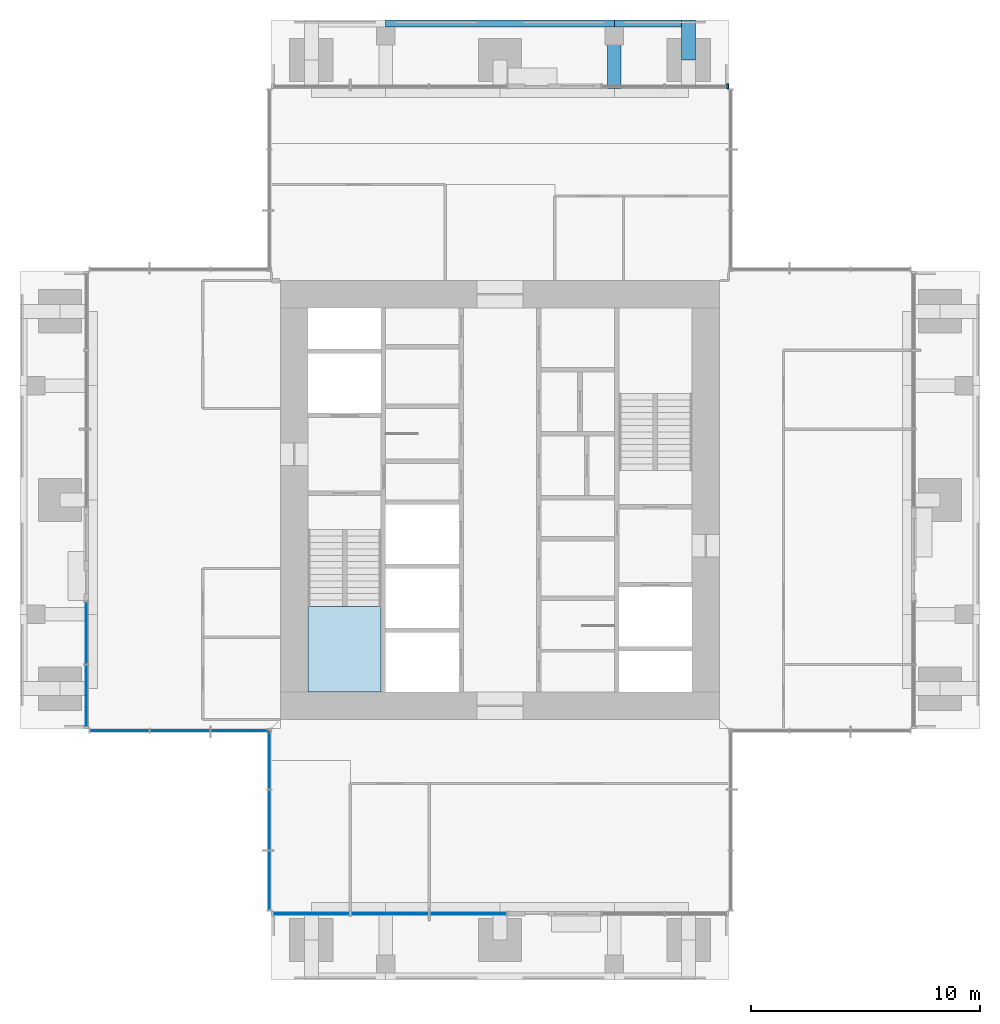
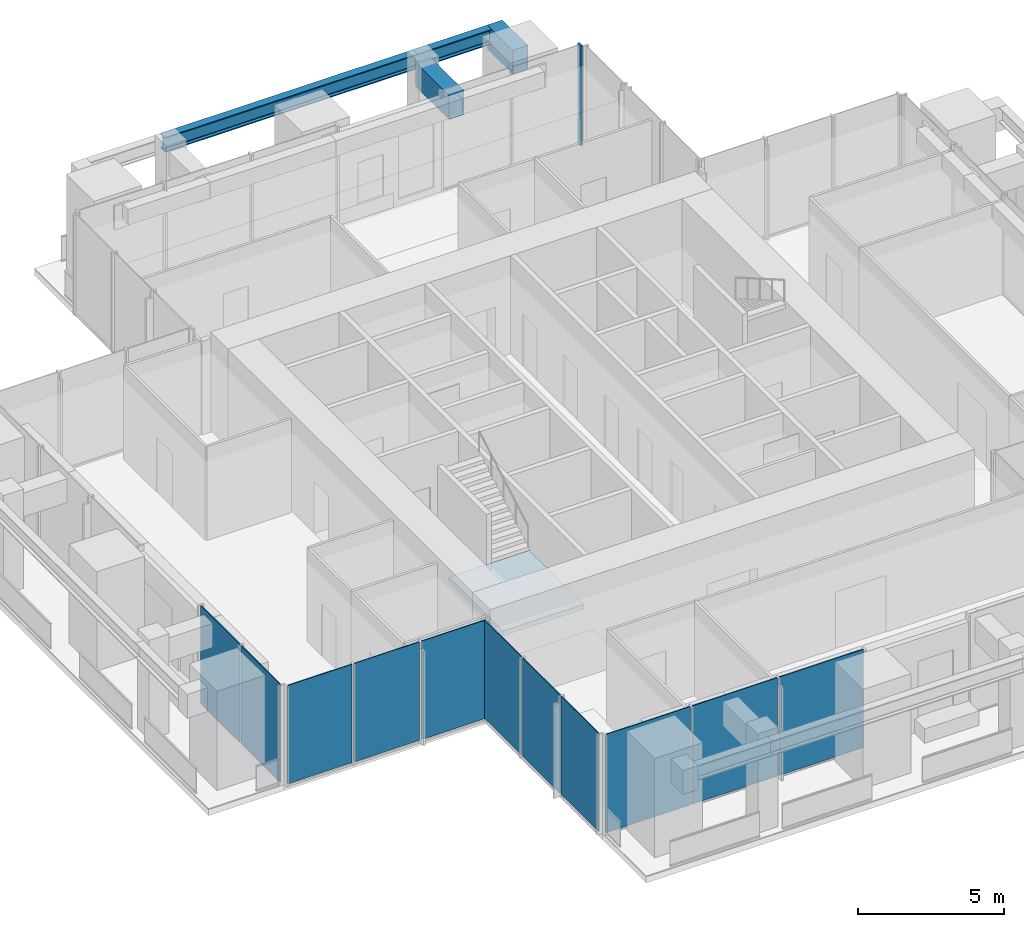
# One storey, part 5 of 12: 11 plates, 4 beams, 1 member, 1 slab, 6 elements without a shape of their own.
"""IFC4 building model written with IfcOpenShell, lengths in metres."""

from ifc_helpers import new_model, si_unit, direction, frame, origin, origin_2d, place, context, subcontext, project, spatial, polyline, rectangle, i_section, outline, extrude, material, layer, layer_set, material_profile, profile_set, type_object, element, aggregate, save


model = new_model("IFC4")

# Units and contexts
model_context = context("Model", 3, precision=1e-05, world=origin(), true_north=direction((0.0, 1.0)))
body_context = subcontext(model_context, "Body", "Model", "MODEL_VIEW")
ifc_project = project(units=[si_unit("LENGTHUNIT", "METRE"), si_unit("AREAUNIT", "SQUARE_METRE"), si_unit("VOLUMEUNIT", "CUBIC_METRE"), si_unit("PLANEANGLEUNIT", "RADIAN"), si_unit("MASSUNIT", "GRAM", prefix="KILO")], contexts=[model_context])

# Site, building, storey
site_placement = place(None, origin())
site = spatial("IfcSite", under=ifc_project, at=site_placement, CompositionType="ELEMENT")
building_placement = place(site_placement, origin())
building = spatial("IfcBuilding", under=site, at=building_placement, Name="Svetlomir Tower", CompositionType="ELEMENT")
storey_placement = place(building_placement, frame((0.0, 0.0, 260.800048828125)))
storey = spatial("IfcBuildingStorey", under=building, at=storey_placement, Name="L62", CompositionType="ELEMENT", Elevation=260.800048828125)

# Curtain wall, member
ifc_material_1 = material(Name="Bronze anodised aluminium curtain wall", Category="aluminium")
curtain_wall_type = type_object("IfcCurtainWallType", Name="CURTAIN WALL CW4 EXECUTIVE", PredefinedType="NOTDEFINED", material=ifc_material_1)
curtain_wall_1_placement = place(storey_placement, origin())
curtain_wall_1 = element("IfcCurtainWall", 1, at=curtain_wall_1_placement, inside=storey, type_object=curtain_wall_type, Name="Curtain wall CW4 L62", PredefinedType="NOTDEFINED")
ifc_material_2 = material(Name="Bronze anodised aluminium", Category="aluminium")
ifc_material_profile_1 = material_profile(ifc_material_2, rectangle(XDim=0.074951171875, YDim=0.219970703125, at=origin_2d()), Name="AL 75x220")
ifc_profile_set_1 = profile_set([ifc_material_profile_1], Name="Bronze anodised aluminium 6063-T6")
member_type = type_object("IfcMemberType", Name="CW4 MULLION 75x220", PredefinedType="MULLION", material=ifc_profile_set_1)
member_placement = place(storey_placement, frame((30.96240234375, 39.10009765625, 0.0), z_axis=(0.0, 0.0, 1.0), x_axis=(-1.0, 0.0, 0.0)))
member = element("IfcMember", 2, at=member_placement, type_object=member_type, Name="CW4 mullion 1", PredefinedType="MULLION", context=body_context, shape_type="SweptSolid", body=[
    extrude(rectangle(XDim=0.074951171875, YDim=0.219970703125, at=origin_2d()), origin(), (0.0, 0.0, 1.0), 4.199951171875),
])
aggregate(curtain_wall_1, [member])

# Beams
ifc_material_3 = material(Name="Steel S355", Category="steel")
ifc_material_profile_2 = material_profile(ifc_material_3, i_section(OverallWidth=0.304931640625, OverallDepth=0.6201171875, WebThickness=0.02099609375, FlangeThickness=0.0400390625, FilletRadius=0.027099609375, at=origin_2d()), Name="HEM 600")
ifc_profile_set_2 = profile_set([ifc_material_profile_2], Name="Steel S355")
beam_type_1 = type_object("IfcBeamType", Name="EDGE BEAM HEM 600", PredefinedType="SPANDREL", material=ifc_profile_set_2)
beam_1_placement = place(storey_placement, frame((16.0, 41.847412109375, 3.639892578125), z_axis=(1.0, 0.0, 0.0), x_axis=(0.0, 1.0, 0.0)))
element("IfcBeam", 3, at=beam_1_placement, inside=storey, type_object=beam_type_1, Name="Edge beam 16/42 to 26/42 under L63", PredefinedType="SPANDREL", context=body_context, shape_type="SweptSolid", body=[
    extrude(i_section(OverallWidth=0.304931640625, OverallDepth=0.6201171875, WebThickness=0.02099609375, FlangeThickness=0.0400390625, FilletRadius=0.027099609375, at=origin_2d()), origin(), (0.0, 0.0, 1.0), 10.0),
])
beam_2_placement = place(storey_placement, frame((26.0, 41.847412109375, 3.639892578125), z_axis=(1.0, 0.0, 0.0), x_axis=(0.0, 1.0, 0.0)))
element("IfcBeam", 4, at=beam_2_placement, inside=storey, type_object=beam_type_1, Name="Edge beam 26/42 to 31/42 under L63", PredefinedType="SPANDREL", context=body_context, shape_type="SweptSolid", body=[
    extrude(i_section(OverallWidth=0.304931640625, OverallDepth=0.6201171875, WebThickness=0.02099609375, FlangeThickness=0.0400390625, FilletRadius=0.027099609375, at=origin_2d()), origin(), (0.0, 0.0, 1.0), 2.949951171875),
])
ifc_material_4 = material(Name="Concrete C60/75", Category="concrete")
ifc_material_profile_3 = material_profile(ifc_material_4, rectangle(XDim=0.60009765625, YDim=1.0, at=origin_2d()), Name="RC 600x1000")
ifc_profile_set_3 = profile_set([ifc_material_profile_3], Name="Concrete C60/75")
beam_type_2 = type_object("IfcBeamType", Name="EDGE LINK BEAM RC 600x1000", PredefinedType="BEAM", material=ifc_profile_set_3)
beam_3_placement = place(storey_placement, frame((29.25, 40.25, 3.449951171875), z_axis=(0.0, 1.0, 0.0), x_axis=(-1.0, 0.0, 0.0)))
element("IfcBeam", 5, at=beam_3_placement, inside=storey, type_object=beam_type_2, Name="Edge link beam N 31/42 under L63", PredefinedType="BEAM", context=body_context, shape_type="SweptSolid", body=[
    extrude(rectangle(XDim=0.60009765625, YDim=1.0, at=origin_2d()), origin(), (0.0, 0.0, 1.0), 1.75),
])
ifc_material_5 = material(Name="Concrete C60/75", Category="concrete")
ifc_material_profile_4 = material_profile(ifc_material_5, rectangle(XDim=0.60009765625, YDim=1.0, at=origin_2d()), Name="RC 600x1000")
ifc_profile_set_4 = profile_set([ifc_material_profile_4], Name="Concrete C60/75")
beam_type_3 = type_object("IfcBeamType", Name="LOGGIA LINK BEAM RC 600x1000", PredefinedType="BEAM", material=ifc_profile_set_4)
beam_4_placement = place(storey_placement, frame((26.0, 41.300048828125, 3.449951171875), z_axis=(0.0, -1.0, 0.0), x_axis=(1.0, 0.0, 0.0)))
element("IfcBeam", 6, at=beam_4_placement, inside=storey, type_object=beam_type_3, Name="Loggia link beam N 26 under L63", PredefinedType="BEAM", context=body_context, shape_type="SweptSolid", body=[
    extrude(rectangle(XDim=0.60009765625, YDim=1.0, at=origin_2d()), origin(), (0.0, 0.0, 1.0), 2.300048828125),
])

# Curtain wall, plates
curtain_wall_2_placement = place(storey_placement, origin())
curtain_wall_2 = element("IfcCurtainWall", 7, at=curtain_wall_2_placement, inside=storey, type_object=curtain_wall_type, Name="Curtain wall CW4 L62", PredefinedType="NOTDEFINED")
ifc_material_6 = material(Name="Tinted double glazed unit", Category="glass")
ifc_layer_1 = layer(ifc_material_6, 0.035888671875)
ifc_layer_set_1 = layer_set([ifc_layer_1], Name="Tinted double glazed unit")
plate_type = type_object("IfcPlateType", Name="CW4 GLAZED PANEL 36", PredefinedType="CURTAIN_PANEL", material=ifc_layer_set_1)
plate_1_placement = place(storey_placement, frame((12.74365234375, 2.89990234375, 0.074951171875), z_axis=(0.0, 0.0, 1.0), x_axis=(1.0, 0.0, 0.0)))
plate_1 = element("IfcPlate", 8, at=plate_1_placement, type_object=plate_type, Name="CW4 panel 1.1", PredefinedType="CURTAIN_PANEL", context=body_context, shape_type="SweptSolid", body=[
    extrude(rectangle(XDim=3.33740234375, YDim=0.035888671875, at=origin_2d()), origin(), (0.0, 0.0, 1.0), 4.125),
])
plate_2_placement = place(storey_placement, frame((16.175048828125, 2.89990234375, 0.074951171875), z_axis=(0.0, 0.0, 1.0), x_axis=(1.0, 0.0, 0.0)))
plate_2 = element("IfcPlate", 9, at=plate_2_placement, type_object=plate_type, Name="CW4 panel 2.1", PredefinedType="CURTAIN_PANEL", context=body_context, shape_type="SweptSolid", body=[
    extrude(rectangle(XDim=3.375, YDim=0.035888671875, at=origin_2d()), origin(), (0.0, 0.0, 1.0), 4.125),
])
plate_3_placement = place(storey_placement, frame((19.606201171875, 2.89990234375, 0.074951171875), z_axis=(0.0, 0.0, 1.0), x_axis=(1.0, 0.0, 0.0)))
plate_3 = element("IfcPlate", 10, at=plate_3_placement, type_object=plate_type, Name="CW4 panel 3.1", PredefinedType="CURTAIN_PANEL", context=body_context, shape_type="SweptSolid", body=[
    extrude(rectangle(XDim=3.33740234375, YDim=0.035888671875, at=origin_2d()), origin(), (0.0, 0.0, 1.0), 4.125),
])
aggregate(curtain_wall_2, [plate_1, plate_2, plate_3])

curtain_wall_3_placement = place(storey_placement, origin())
curtain_wall_3 = element("IfcCurtainWall", 11, at=curtain_wall_3_placement, inside=storey, type_object=curtain_wall_type, Name="Curtain wall CW4 L62", PredefinedType="NOTDEFINED")
plate_4_placement = place(storey_placement, frame((2.89990234375, 15.18115234375, 0.074951171875), z_axis=(0.0, 0.0, 1.0), x_axis=(0.0, -1.0, 0.0)))
plate_4 = element("IfcPlate", 12, at=plate_4_placement, type_object=plate_type, Name="CW4 panel 1.1", PredefinedType="CURTAIN_PANEL", context=body_context, shape_type="SweptSolid", body=[
    extrude(rectangle(XDim=2.6875, YDim=0.035888671875, at=origin_2d()), origin(), (0.0, 0.0, 1.0), 4.125),
])
plate_5_placement = place(storey_placement, frame((2.89990234375, 12.418701171875, 0.074951171875), z_axis=(0.0, 0.0, 1.0), x_axis=(0.0, -1.0, 0.0)))
plate_5 = element("IfcPlate", 13, at=plate_5_placement, type_object=plate_type, Name="CW4 panel 2.1", PredefinedType="CURTAIN_PANEL", context=body_context, shape_type="SweptSolid", body=[
    extrude(rectangle(XDim=2.6875, YDim=0.035888671875, at=origin_2d()), origin(), (0.0, 0.0, 1.0), 4.125),
])
aggregate(curtain_wall_3, [plate_4, plate_5])

curtain_wall_4_placement = place(storey_placement, origin())
curtain_wall_4 = element("IfcCurtainWall", 14, at=curtain_wall_4_placement, inside=storey, type_object=curtain_wall_type, Name="Curtain wall CW4 L62", PredefinedType="NOTDEFINED")
plate_6_placement = place(storey_placement, frame((4.35205078125, 10.89990234375, 0.074951171875), z_axis=(0.0, 0.0, 1.0), x_axis=(1.0, 0.0, 0.0)))
plate_6 = element("IfcPlate", 15, at=plate_6_placement, type_object=plate_type, Name="CW4 panel 1.1", PredefinedType="CURTAIN_PANEL", context=body_context, shape_type="SweptSolid", body=[
    extrude(rectangle(XDim=2.55419921875, YDim=0.035888671875, at=origin_2d()), origin(), (0.0, 0.0, 1.0), 4.125),
])
plate_7_placement = place(storey_placement, frame((7.0, 10.89990234375, 0.074951171875), z_axis=(0.0, 0.0, 1.0), x_axis=(1.0, 0.0, 0.0)))
plate_7 = element("IfcPlate", 16, at=plate_7_placement, type_object=plate_type, Name="CW4 panel 2.1", PredefinedType="CURTAIN_PANEL", context=body_context, shape_type="SweptSolid", body=[
    extrude(rectangle(XDim=2.591552734375, YDim=0.035888671875, at=origin_2d()), origin(), (0.0, 0.0, 1.0), 4.125),
])
plate_8_placement = place(storey_placement, frame((9.64794921875, 10.89990234375, 0.074951171875), z_axis=(0.0, 0.0, 1.0), x_axis=(1.0, 0.0, 0.0)))
plate_8 = element("IfcPlate", 17, at=plate_8_placement, type_object=plate_type, Name="CW4 panel 3.1", PredefinedType="CURTAIN_PANEL", context=body_context, shape_type="SweptSolid", body=[
    extrude(rectangle(XDim=2.55419921875, YDim=0.035888671875, at=origin_2d()), origin(), (0.0, 0.0, 1.0), 4.125),
])
aggregate(curtain_wall_4, [plate_6, plate_7, plate_8])

curtain_wall_5_placement = place(storey_placement, origin())
curtain_wall_5 = element("IfcCurtainWall", 18, at=curtain_wall_5_placement, inside=storey, type_object=curtain_wall_type, Name="Curtain wall CW4 L62", PredefinedType="NOTDEFINED")
plate_9_placement = place(storey_placement, frame((10.89990234375, 9.64794921875, 0.074951171875), z_axis=(0.0, 0.0, 1.0), x_axis=(0.0, -1.0, 0.0)))
plate_9 = element("IfcPlate", 19, at=plate_9_placement, type_object=plate_type, Name="CW4 panel 1.1", PredefinedType="CURTAIN_PANEL", context=body_context, shape_type="SweptSolid", body=[
    extrude(rectangle(XDim=2.55419921875, YDim=0.035888671875, at=origin_2d()), origin(), (0.0, 0.0, 1.0), 4.125),
])
plate_10_placement = place(storey_placement, frame((10.89990234375, 7.0, 0.074951171875), z_axis=(0.0, 0.0, 1.0), x_axis=(0.0, -1.0, 0.0)))
plate_10 = element("IfcPlate", 20, at=plate_10_placement, type_object=plate_type, Name="CW4 panel 2.1", PredefinedType="CURTAIN_PANEL", context=body_context, shape_type="SweptSolid", body=[
    extrude(rectangle(XDim=2.591552734375, YDim=0.035888671875, at=origin_2d()), origin(), (0.0, 0.0, 1.0), 4.125),
])
plate_11_placement = place(storey_placement, frame((10.89990234375, 4.35205078125, 0.074951171875), z_axis=(0.0, 0.0, 1.0), x_axis=(0.0, -1.0, 0.0)))
plate_11 = element("IfcPlate", 21, at=plate_11_placement, type_object=plate_type, Name="CW4 panel 3.1", PredefinedType="CURTAIN_PANEL", context=body_context, shape_type="SweptSolid", body=[
    extrude(rectangle(XDim=2.55419921875, YDim=0.035888671875, at=origin_2d()), origin(), (0.0, 0.0, 1.0), 4.125),
])
aggregate(curtain_wall_5, [plate_9, plate_10, plate_11])

# Stair, slab
ifc_material_7 = material(Name="Concrete C60/75", Category="concrete")
stair_type = type_object("IfcStairType", Name="EXIT STAIR 3200 RISE 4200", PredefinedType="HALF_TURN_STAIR", material=ifc_material_7)
stair_placement = place(storey_placement, origin())
stair = element("IfcStair", 22, at=stair_placement, inside=storey, type_object=stair_type, Name="Stair S1 L62 to L63", PredefinedType="HALF_TURN_STAIR")
ifc_material_8 = material(Name="Concrete C60/75", Category="concrete")
ifc_layer_2 = layer(ifc_material_8, 0.199951171875)
ifc_layer_set_2 = layer_set([ifc_layer_2], Name="Concrete C60/75")
slab_type = type_object("IfcSlabType", Name="STAIR LANDING 200", PredefinedType="LANDING", material=ifc_layer_set_2)
slab_placement = place(storey_placement, frame((0.0, 0.0, 1.89990234375)))
slab = element("IfcSlab", 23, at=slab_placement, type_object=slab_type, Name="S1 landing 1", PredefinedType="LANDING", context=body_context, shape_type="SweptSolid", body=[
    extrude(outline(polyline([(12.60009765625, 12.60009765625), (15.800048828125, 12.60009765625), (15.800048828125, 16.340087890625), (12.60009765625, 16.340087890625), (12.60009765625, 12.60009765625)])), origin(), (0.0, 0.0, 1.0), 0.199951171875),
])
aggregate(stair, [slab])

save(model, "model.ifc")
